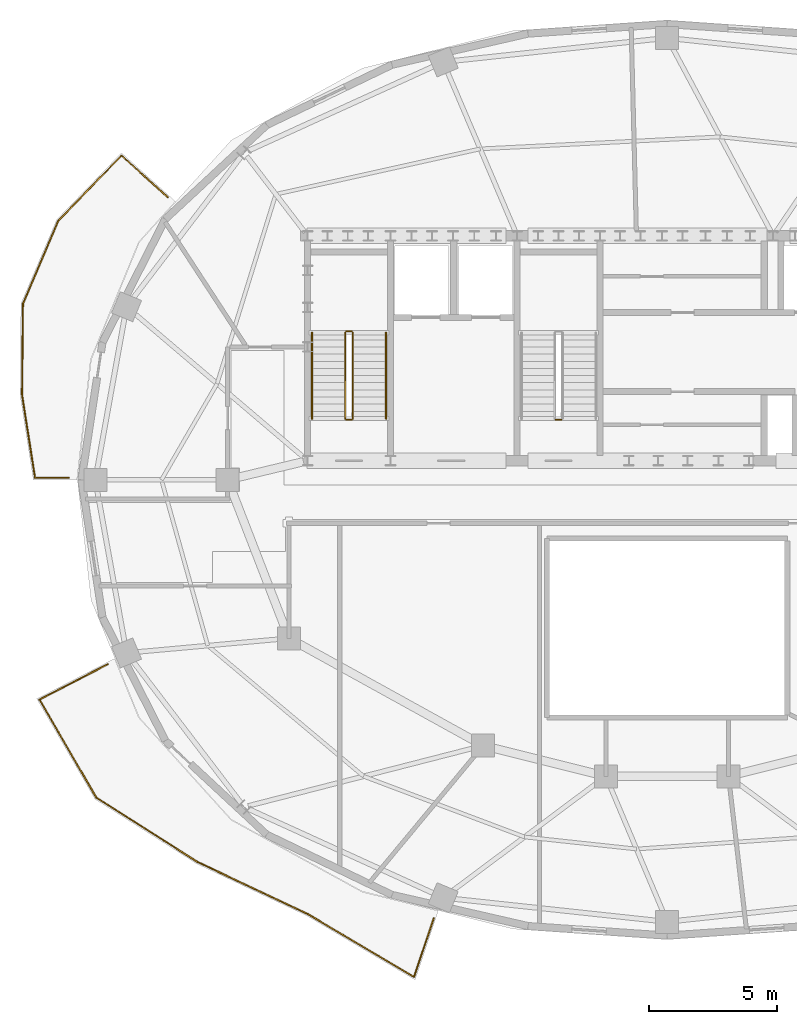
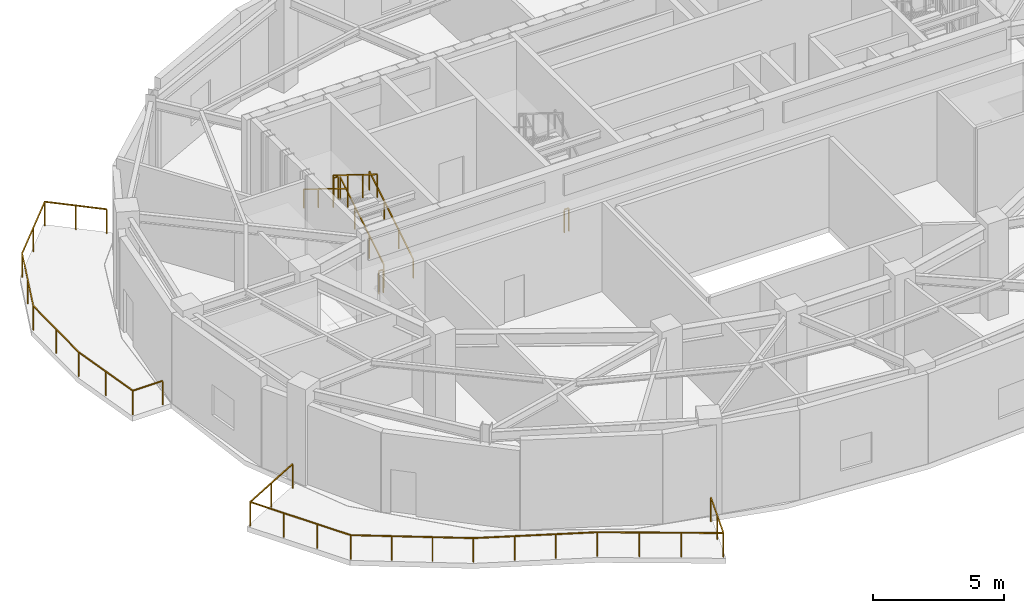
# One storey, part 6 of 9: 9 railings.
"""IFC4 building model written with IfcOpenShell, lengths in metres."""

from ifc_helpers import new_model, si_unit, direction, frame, origin, origin_2d, place, context, subcontext, project, spatial, rectangle, extrude, material, type_object, element, save


model = new_model("IFC4")

# Units and contexts
model_context = context("Model", 3, precision=1e-05, world=origin(), true_north=direction((0.0, 1.0)))
body_context = subcontext(model_context, "Body", "Model", "MODEL_VIEW")
ifc_project = project(units=[si_unit("LENGTHUNIT", "METRE"), si_unit("AREAUNIT", "SQUARE_METRE"), si_unit("VOLUMEUNIT", "CUBIC_METRE"), si_unit("PLANEANGLEUNIT", "RADIAN"), si_unit("MASSUNIT", "GRAM", prefix="KILO")], contexts=[model_context])

# Site, building, storey
site_placement = place(None, origin())
site = spatial("IfcSite", under=ifc_project, at=site_placement, CompositionType="ELEMENT")
building_placement = place(site_placement, origin())
building = spatial("IfcBuilding", under=site, at=building_placement, Name="Haldorwick Loom Tower", CompositionType="ELEMENT")
storey_placement = place(building_placement, frame((0.0, 0.0, 282.0)))
storey = spatial("IfcBuildingStorey", under=building, at=storey_placement, Name="L76", CompositionType="ELEMENT", Elevation=282.0)

# Railings
ifc_material_1 = material(Name="Galvanized Steel CSA G40.21 350W", Category="steel")
railing_type_1 = type_object("IfcRailingType", Name="ARC-RLG-BAL115", PredefinedType="BALUSTRADE", material=ifc_material_1)
railing_1_placement = place(storey_placement, frame((26.859375, 8.834228515625, 0.0)))
element("IfcRailing", 1, at=railing_1_placement, inside=storey, type_object=railing_type_1, Name="L76 Outdoor Terrace Guardrail SLB-L76-BAL_SW-1", PredefinedType="BALUSTRADE", context=body_context, shape_type="SweptSolid", body=[
    extrude(rectangle(XDim=0.048095703125, YDim=0.048095703125, at=origin_2d()), frame((0.0, 0.0, 1.1259765625), z_axis=(-0.317623794397, -0.94821681341, 0.0), x_axis=(0.94821681341, -0.317623794397, 0.0)), (0.0, 0.0, 1.0), 2.412841796875),
    extrude(rectangle(XDim=0.048095703125, YDim=0.048095703125, at=origin_2d()), frame((-0.766357421875, -2.287841796875, 1.1259765625), z_axis=(-0.860432570469, 0.509564315544, 0.0), x_axis=(-0.509564315544, -0.860432570469, 0.0)), (0.0, 0.0, 1.0), 4.835205078125),
    extrude(rectangle(XDim=0.048095703125, YDim=0.048095703125, at=origin_2d()), frame((-4.9267578125, 0.176025390625, 1.1259765625), z_axis=(-0.874157276122, 0.485642931179, 0.0), x_axis=(-0.485642931179, -0.874157276122, 0.0)), (0.0, 0.0, 1.0), 0.007568359375),
    extrude(rectangle(XDim=0.048095703125, YDim=0.048095703125, at=origin_2d()), frame((-4.933349609375, 0.1796875, 1.1259765625), z_axis=(-0.904445443084, 0.426589311264, 0.0), x_axis=(-0.426589311264, -0.904445443084, 0.0)), (0.0, 0.0, 1.0), 4.747802734375),
    extrude(rectangle(XDim=0.048095703125, YDim=0.048095703125, at=origin_2d()), frame((-9.2275390625, 2.205078125, 1.1259765625), z_axis=(-0.844033354949, 0.536290682124, 0.0), x_axis=(-0.536290682124, -0.844033354949, 0.0)), (0.0, 0.0, 1.0), 4.701171875),
    extrude(rectangle(XDim=0.048095703125, YDim=0.048095703125, at=origin_2d()), frame((-13.195556640625, 4.726318359375, 1.1259765625), z_axis=(-0.501489273941, 0.865163862007, 0.0), x_axis=(-0.865163862007, -0.501489273941, 0.0)), (0.0, 0.0, 1.0), 4.439453125),
    extrude(rectangle(XDim=0.048095703125, YDim=0.048095703125, at=origin_2d()), frame((-15.421875, 8.567138671875, 1.1259765625), z_axis=(0.888197052342, 0.459462725594, 0.0), x_axis=(-0.459462725594, 0.888197052342, 0.0)), (0.0, 0.0, 1.0), 3.003173828125),
    extrude(rectangle(XDim=0.0419921875, YDim=0.0419921875, at=origin_2d()), origin(), (0.0, 0.0, 1.0), 1.101806640625),
    extrude(rectangle(XDim=0.0419921875, YDim=0.0419921875, at=origin_2d()), frame((-0.38330078125, -1.14404296875, 0.0)), (0.0, 0.0, 1.0), 1.101806640625),
    extrude(rectangle(XDim=0.0419921875, YDim=0.0419921875, at=origin_2d()), frame((-0.766357421875, -2.287841796875, 0.0)), (0.0, 0.0, 1.0), 1.101806640625),
    extrude(rectangle(XDim=0.0419921875, YDim=0.0419921875, at=origin_2d()), frame((-2.153076171875, -1.466552734375, 0.0)), (0.0, 0.0, 1.0), 1.101806640625),
    extrude(rectangle(XDim=0.0419921875, YDim=0.0419921875, at=origin_2d()), frame((-3.5400390625, -0.645263671875, 0.0)), (0.0, 0.0, 1.0), 1.101806640625),
    extrude(rectangle(XDim=0.0419921875, YDim=0.0419921875, at=origin_2d()), frame((-4.9267578125, 0.176025390625, 0.0)), (0.0, 0.0, 1.0), 1.101806640625),
    extrude(rectangle(XDim=0.0419921875, YDim=0.0419921875, at=origin_2d()), frame((-6.36474609375, 0.854736328125, 0.0)), (0.0, 0.0, 1.0), 1.101806640625),
    extrude(rectangle(XDim=0.0419921875, YDim=0.0419921875, at=origin_2d()), frame((-7.796142578125, 1.530029296875, 0.0)), (0.0, 0.0, 1.0), 1.101806640625),
    extrude(rectangle(XDim=0.0419921875, YDim=0.0419921875, at=origin_2d()), frame((-9.2275390625, 2.205078125, 0.0)), (0.0, 0.0, 1.0), 1.101806640625),
    extrude(rectangle(XDim=0.0419921875, YDim=0.0419921875, at=origin_2d()), frame((-10.55029296875, 3.04541015625, 0.0)), (0.0, 0.0, 1.0), 1.101806640625),
    extrude(rectangle(XDim=0.0419921875, YDim=0.0419921875, at=origin_2d()), frame((-11.872802734375, 3.885986328125, 0.0)), (0.0, 0.0, 1.0), 1.101806640625),
    extrude(rectangle(XDim=0.0419921875, YDim=0.0419921875, at=origin_2d()), frame((-13.195556640625, 4.726318359375, 0.0)), (0.0, 0.0, 1.0), 1.101806640625),
    extrude(rectangle(XDim=0.0419921875, YDim=0.0419921875, at=origin_2d()), frame((-13.937744140625, 6.006591796875, 0.0)), (0.0, 0.0, 1.0), 1.101806640625),
    extrude(rectangle(XDim=0.0419921875, YDim=0.0419921875, at=origin_2d()), frame((-14.6796875, 7.286865234375, 0.0)), (0.0, 0.0, 1.0), 1.101806640625),
    extrude(rectangle(XDim=0.0419921875, YDim=0.0419921875, at=origin_2d()), frame((-15.421875, 8.567138671875, 0.0)), (0.0, 0.0, 1.0), 1.101806640625),
    extrude(rectangle(XDim=0.0419921875, YDim=0.0419921875, at=origin_2d()), frame((-14.088134765625, 9.257080078125, 0.0)), (0.0, 0.0, 1.0), 1.101806640625),
    extrude(rectangle(XDim=0.0419921875, YDim=0.0419921875, at=origin_2d()), frame((-12.75439453125, 9.947021484375, 0.0)), (0.0, 0.0, 1.0), 1.101806640625),
])
railing_2_placement = place(storey_placement, frame((12.575927734375, 26.080078125, 0.0)))
element("IfcRailing", 2, at=railing_2_placement, inside=storey, type_object=railing_type_1, Name="L76 Outdoor Terrace Guardrail SLB-L76-BAL_WNW-1", PredefinedType="BALUSTRADE", context=body_context, shape_type="SweptSolid", body=[
    extrude(rectangle(XDim=0.048095703125, YDim=0.048095703125, at=origin_2d()), frame((0.0, 0.0, 1.1259765625), z_axis=(-1.0, 0.0, 0.0), x_axis=(0.0, -1.0, 0.0)), (0.0, 0.0, 1.0), 1.314697265625),
    extrude(rectangle(XDim=0.048095703125, YDim=0.048095703125, at=origin_2d()), frame((-1.314697265625, 0.0, 1.1259765625), z_axis=(-0.154379146574, 0.988011679639, 0.0), x_axis=(-0.988011679639, -0.154379146574, 0.0)), (0.0, 0.0, 1.0), 3.2861328125),
    extrude(rectangle(XDim=0.048095703125, YDim=0.048095703125, at=origin_2d()), frame((-1.822021484375, 3.246826171875, 1.1259765625), z_axis=(0.009479549316, 0.999955068063, 0.0), x_axis=(-0.999955068063, 0.009479549316, 0.0)), (0.0, 0.0, 1.0), 3.55419921875),
    extrude(rectangle(XDim=0.048095703125, YDim=0.048095703125, at=origin_2d()), frame((-1.788330078125, 6.80078125, 1.1259765625), z_axis=(0.391707723778, 0.920089701677, 0.0), x_axis=(-0.920089701677, 0.391707723778, 0.0)), (0.0, 0.0, 1.0), 3.5458984375),
    extrude(rectangle(XDim=0.048095703125, YDim=0.048095703125, at=origin_2d()), frame((-0.3994140625, 10.063232421875, 1.1259765625), z_axis=(0.696325289949, 0.717726334042, 0.0), x_axis=(-0.717726334042, 0.696325289949, 0.0)), (0.0, 0.0, 1.0), 3.5478515625),
    extrude(rectangle(XDim=0.048095703125, YDim=0.048095703125, at=origin_2d()), frame((2.071044921875, 12.609619140625, 1.1259765625), z_axis=(0.742924822481, -0.669374863691, 0.0), x_axis=(0.669374863691, 0.742924822481, 0.0)), (0.0, 0.0, 1.0), 2.43310546875),
    extrude(rectangle(XDim=0.0419921875, YDim=0.0419921875, at=origin_2d()), origin(), (0.0, 0.0, 1.0), 1.101806640625),
    extrude(rectangle(XDim=0.0419921875, YDim=0.0419921875, at=origin_2d()), frame((-1.314697265625, 0.0, 0.0)), (0.0, 0.0, 1.0), 1.101806640625),
    extrude(rectangle(XDim=0.0419921875, YDim=0.0419921875, at=origin_2d()), frame((-1.568359375, 1.62353515625, 0.0)), (0.0, 0.0, 1.0), 1.101806640625),
    extrude(rectangle(XDim=0.0419921875, YDim=0.0419921875, at=origin_2d()), frame((-1.822021484375, 3.246826171875, 0.0)), (0.0, 0.0, 1.0), 1.101806640625),
    extrude(rectangle(XDim=0.0419921875, YDim=0.0419921875, at=origin_2d()), frame((-1.80517578125, 5.02392578125, 0.0)), (0.0, 0.0, 1.0), 1.101806640625),
    extrude(rectangle(XDim=0.0419921875, YDim=0.0419921875, at=origin_2d()), frame((-1.788330078125, 6.80078125, 0.0)), (0.0, 0.0, 1.0), 1.101806640625),
    extrude(rectangle(XDim=0.0419921875, YDim=0.0419921875, at=origin_2d()), frame((-1.09375, 8.43212890625, 0.0)), (0.0, 0.0, 1.0), 1.101806640625),
    extrude(rectangle(XDim=0.0419921875, YDim=0.0419921875, at=origin_2d()), frame((-0.3994140625, 10.063232421875, 0.0)), (0.0, 0.0, 1.0), 1.101806640625),
    extrude(rectangle(XDim=0.0419921875, YDim=0.0419921875, at=origin_2d()), frame((0.8359375, 11.33642578125, 0.0)), (0.0, 0.0, 1.0), 1.101806640625),
    extrude(rectangle(XDim=0.0419921875, YDim=0.0419921875, at=origin_2d()), frame((2.071044921875, 12.609619140625, 0.0)), (0.0, 0.0, 1.0), 1.101806640625),
    extrude(rectangle(XDim=0.0419921875, YDim=0.0419921875, at=origin_2d()), frame((2.974853515625, 11.79541015625, 0.0)), (0.0, 0.0, 1.0), 1.101806640625),
    extrude(rectangle(XDim=0.0419921875, YDim=0.0419921875, at=origin_2d()), frame((3.878662109375, 10.98095703125, 0.0)), (0.0, 0.0, 1.0), 1.101806640625),
])
ifc_material_2 = material(Name="Steel CSA G40.21 350W", Category="steel")
railing_type_2 = type_object("IfcRailingType", Name="ARC-RLG-GUARD112", PredefinedType="GUARDRAIL", material=ifc_material_2)
railing_3_placement = place(storey_placement, frame((23.699951171875, 28.39990234375, 0.173095703125)))
element("IfcRailing", 3, at=railing_3_placement, inside=storey, type_object=railing_type_2, Name="L76 ST-01 stair guard 1", PredefinedType="GUARDRAIL", context=body_context, shape_type="SweptSolid", body=[
    extrude(rectangle(XDim=0.048095703125, YDim=0.048095703125, at=origin_2d()), frame((0.0, 0.0, 1.076171875), z_axis=(0.0, 0.850623216509, 0.525775754039), x_axis=(-1.0, 0.0, 0.0)), (0.0, 0.0, 1.0), 3.9501953125),
    extrude(rectangle(XDim=0.0419921875, YDim=0.0419921875, at=origin_2d()), origin(), (0.0, 0.0, 1.0), 1.052001953125),
    extrude(rectangle(XDim=0.0419921875, YDim=0.0419921875, at=origin_2d()), frame((0.0, 1.1201171875, 0.6923828125)), (0.0, 0.0, 1.0), 1.052001953125),
    extrude(rectangle(XDim=0.0419921875, YDim=0.0419921875, at=origin_2d()), frame((0.0, 2.239990234375, 1.384521484375)), (0.0, 0.0, 1.0), 1.052001953125),
    extrude(rectangle(XDim=0.0419921875, YDim=0.0419921875, at=origin_2d()), frame((0.0, 3.360107421875, 2.076904296875)), (0.0, 0.0, 1.0), 1.052001953125),
])
railing_4_placement = place(storey_placement, frame((23.64990234375, 31.81005859375, 2.25)))
element("IfcRailing", 4, at=railing_4_placement, inside=storey, type_object=railing_type_2, Name="L76 ST-01 stair guard 2", PredefinedType="GUARDRAIL", context=body_context, shape_type="SweptSolid", body=[
    extrude(rectangle(XDim=0.048095703125, YDim=0.048095703125, at=origin_2d()), frame((0.0, 0.0, 1.076171875), z_axis=(-1.0, 0.0, 0.0), x_axis=(0.0, -1.0, 0.0)), (0.0, 0.0, 1.0), 0.199951171875),
    extrude(rectangle(XDim=0.0419921875, YDim=0.0419921875, at=origin_2d()), origin(), (0.0, 0.0, 1.0), 1.052001953125),
    extrude(rectangle(XDim=0.0419921875, YDim=0.0419921875, at=origin_2d()), frame((-0.199951171875, 0.0, 0.0)), (0.0, 0.0, 1.0), 1.052001953125),
])
railing_5_placement = place(storey_placement, frame((23.39990234375, 31.760009765625, 2.423095703125)))
element("IfcRailing", 5, at=railing_5_placement, inside=storey, type_object=railing_type_2, Name="L76 ST-01 stair guard 3", PredefinedType="GUARDRAIL", context=body_context, shape_type="SweptSolid", body=[
    extrude(rectangle(XDim=0.048095703125, YDim=0.048095703125, at=origin_2d()), frame((0.0, 0.0, 1.076171875), z_axis=(0.0, -0.850623216509, 0.525775754039), x_axis=(1.0, 0.0, 0.0)), (0.0, 0.0, 1.0), 3.9501953125),
    extrude(rectangle(XDim=0.0419921875, YDim=0.0419921875, at=origin_2d()), origin(), (0.0, 0.0, 1.0), 1.052001953125),
    extrude(rectangle(XDim=0.0419921875, YDim=0.0419921875, at=origin_2d()), frame((0.0, -1.1201171875, 0.6923828125)), (0.0, 0.0, 1.0), 1.052001953125),
    extrude(rectangle(XDim=0.0419921875, YDim=0.0419921875, at=origin_2d()), frame((0.0, -2.239990234375, 1.384521484375)), (0.0, 0.0, 1.0), 1.052001953125),
    extrude(rectangle(XDim=0.0419921875, YDim=0.0419921875, at=origin_2d()), frame((0.0, -3.360107421875, 2.076904296875)), (0.0, 0.0, 1.0), 1.052001953125),
])
railing_6_placement = place(storey_placement, frame((23.64990234375, 28.35009765625, 0.0)))
element("IfcRailing", 6, at=railing_6_placement, inside=storey, type_object=railing_type_2, Name="L76 ST-01 stair guard 4", PredefinedType="GUARDRAIL", context=body_context, shape_type="SweptSolid", body=[
    extrude(rectangle(XDim=0.048095703125, YDim=0.048095703125, at=origin_2d()), frame((0.0, 0.0, 1.076171875), z_axis=(-1.0, 0.0, 0.0), x_axis=(0.0, -1.0, 0.0)), (0.0, 0.0, 1.0), 0.199951171875),
    extrude(rectangle(XDim=0.0419921875, YDim=0.0419921875, at=origin_2d()), origin(), (0.0, 0.0, 1.0), 1.052001953125),
    extrude(rectangle(XDim=0.0419921875, YDim=0.0419921875, at=origin_2d()), frame((-0.199951171875, 0.0, 0.0)), (0.0, 0.0, 1.0), 1.052001953125),
])
railing_7_placement = place(storey_placement, frame((31.85009765625, 28.35009765625, 0.0)))
element("IfcRailing", 7, at=railing_7_placement, inside=storey, type_object=railing_type_2, Name="L76 ST-03 stair guard 4", PredefinedType="GUARDRAIL", context=body_context, shape_type="SweptSolid", body=[
    extrude(rectangle(XDim=0.048095703125, YDim=0.048095703125, at=origin_2d()), frame((0.0, 0.0, 1.076171875), z_axis=(-1.0, 0.0, 0.0), x_axis=(0.0, -1.0, 0.0)), (0.0, 0.0, 1.0), 0.2001953125),
    extrude(rectangle(XDim=0.0419921875, YDim=0.0419921875, at=origin_2d()), origin(), (0.0, 0.0, 1.0), 1.052001953125),
    extrude(rectangle(XDim=0.0419921875, YDim=0.0419921875, at=origin_2d()), frame((-0.2001953125, 0.0, 0.0)), (0.0, 0.0, 1.0), 1.052001953125),
])
railing_type_3 = type_object("IfcRailingType", Name="ARC-RLG-HAND092", PredefinedType="HANDRAIL", material=ifc_material_2)
railing_8_placement = place(storey_placement, frame((25.0, 28.39990234375, 0.173095703125)))
element("IfcRailing", 8, at=railing_8_placement, inside=storey, type_object=railing_type_3, Name="L76 ST-01 stair handrail 1", PredefinedType="HANDRAIL", context=body_context, shape_type="SweptSolid", body=[
    extrude(rectangle(XDim=0.048095703125, YDim=0.048095703125, at=origin_2d()), frame((0.0, 0.0, 0.8759765625), z_axis=(0.0, 0.850623216509, 0.525775754039), x_axis=(-1.0, 0.0, 0.0)), (0.0, 0.0, 1.0), 3.9501953125),
    extrude(rectangle(XDim=0.0419921875, YDim=0.0419921875, at=origin_2d()), origin(), (0.0, 0.0, 1.0), 0.851806640625),
    extrude(rectangle(XDim=0.0419921875, YDim=0.0419921875, at=origin_2d()), frame((0.0, 1.1201171875, 0.6923828125)), (0.0, 0.0, 1.0), 0.851806640625),
    extrude(rectangle(XDim=0.0419921875, YDim=0.0419921875, at=origin_2d()), frame((0.0, 2.239990234375, 1.384521484375)), (0.0, 0.0, 1.0), 0.851806640625),
    extrude(rectangle(XDim=0.0419921875, YDim=0.0419921875, at=origin_2d()), frame((0.0, 3.360107421875, 2.076904296875)), (0.0, 0.0, 1.0), 0.851806640625),
])
railing_9_placement = place(storey_placement, frame((22.10009765625, 31.760009765625, 2.423095703125)))
element("IfcRailing", 9, at=railing_9_placement, inside=storey, type_object=railing_type_3, Name="L76 ST-01 stair handrail 2", PredefinedType="HANDRAIL", context=body_context, shape_type="SweptSolid", body=[
    extrude(rectangle(XDim=0.048095703125, YDim=0.048095703125, at=origin_2d()), frame((0.0, 0.0, 0.8759765625), z_axis=(0.0, -0.850623216509, 0.525775754039), x_axis=(1.0, 0.0, 0.0)), (0.0, 0.0, 1.0), 3.9501953125),
    extrude(rectangle(XDim=0.0419921875, YDim=0.0419921875, at=origin_2d()), origin(), (0.0, 0.0, 1.0), 0.851806640625),
    extrude(rectangle(XDim=0.0419921875, YDim=0.0419921875, at=origin_2d()), frame((0.0, -1.1201171875, 0.6923828125)), (0.0, 0.0, 1.0), 0.851806640625),
    extrude(rectangle(XDim=0.0419921875, YDim=0.0419921875, at=origin_2d()), frame((0.0, -2.239990234375, 1.384521484375)), (0.0, 0.0, 1.0), 0.851806640625),
    extrude(rectangle(XDim=0.0419921875, YDim=0.0419921875, at=origin_2d()), frame((0.0, -3.360107421875, 2.076904296875)), (0.0, 0.0, 1.0), 0.851806640625),
])

save(model, "model.ifc")
